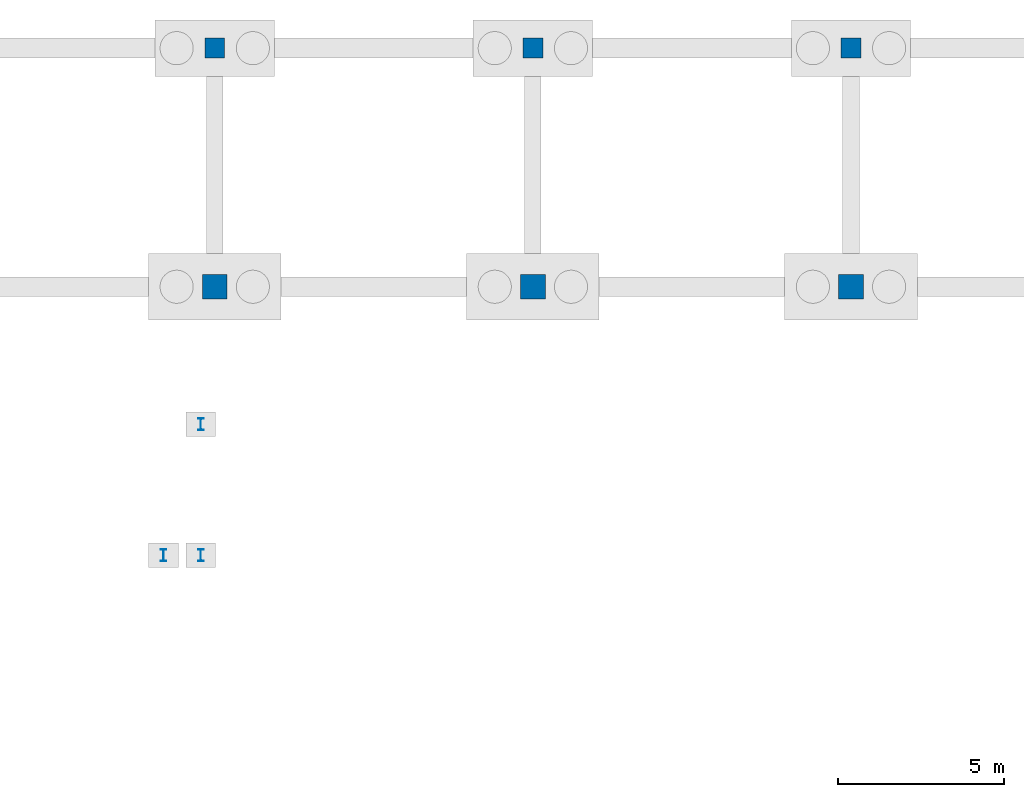
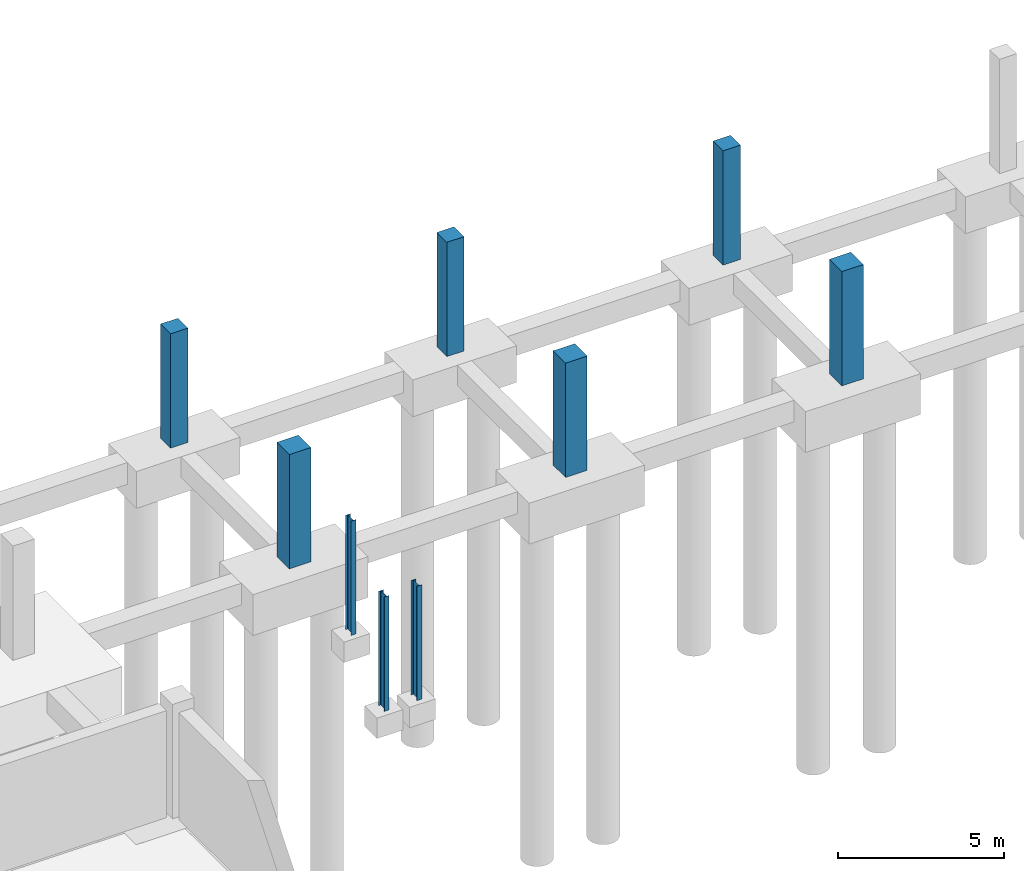
# One storey, part 35 of 54: 9 columns.
"""IFC4 building model written with IfcOpenShell, lengths in metres."""

from ifc_helpers import new_model, si_unit, direction, frame, origin, origin_2d, place, context, subcontext, project, spatial, rectangle, i_section, extrude, material, material_profile, profile_set, type_object, element, save


model = new_model("IFC4")

# Units and contexts
model_context = context("Model", 3, precision=1e-05, world=origin(), true_north=direction((0.0, 1.0)))
body_context = subcontext(model_context, "Body", "Model", "MODEL_VIEW")
ifc_project = project(units=[si_unit("LENGTHUNIT", "METRE"), si_unit("AREAUNIT", "SQUARE_METRE"), si_unit("VOLUMEUNIT", "CUBIC_METRE"), si_unit("PLANEANGLEUNIT", "RADIAN"), si_unit("MASSUNIT", "GRAM", prefix="KILO")], contexts=[model_context])

# Site, building, storey
site_placement = place(None, origin())
site = spatial("IfcSite", under=ifc_project, at=site_placement, CompositionType="ELEMENT")
building_placement = place(site_placement, origin())
building = spatial("IfcBuilding", under=site, at=building_placement, Name="Zevrakil Square Congress Hotel", CompositionType="ELEMENT")
storey_placement = place(building_placement, frame((0.0, 0.0, -8.39990234375)))
storey = spatial("IfcBuildingStorey", under=building, at=storey_placement, Name="B2", CompositionType="ELEMENT", Elevation=-8.39990234375)

# Columns
ifc_material_1 = material(Name="Steel S355", Category="steel")
ifc_material_profile_1 = material_profile(ifc_material_1, i_section(OverallWidth=0.169921875, OverallDepth=0.360107421875, WebThickness=0.008056640625, FlangeThickness=0.0126953125, FilletRadius=0.01806640625, at=origin_2d()), Name="IPE 360")
ifc_profile_set_1 = profile_set([ifc_material_profile_1], Name="Steel S355")
column_type_1 = type_object("IfcColumnType", Name="COL-PILASTER-SHS180", PredefinedType="PILASTER", material=ifc_profile_set_1)
for number, where, z_axis, x_axis, name in (
    (1, (125.64990234375, 104.699951171875, 0.0), (0.0, 0.0, 1.0), (1.0, 0.0, 0.0), "B2 ST11 stair shaft post 1"),
    (2, (126.780029296875, 104.699951171875, 0.0), (0.0, 0.0, 1.0), (1.0, 0.0, 0.0), "B2 ST11 stair shaft post 2"),
    (3, (126.780029296875, 108.64990234375, 0.0), (0.0, 0.0, 1.0), (1.0, 0.0, 0.0), "B2 ST11 stair shaft post 3"),
):
    element("IfcColumn", number, at=place(storey_placement, frame(where, z_axis=z_axis, x_axis=x_axis)), inside=storey, type_object=column_type_1, Name=name, PredefinedType="PILASTER", context=body_context, shape_type="SweptSolid", body=[
        extrude(i_section(OverallWidth=0.169921875, OverallDepth=0.360107421875, WebThickness=0.008056640625, FlangeThickness=0.0126953125, FilletRadius=0.01806640625, at=origin_2d()), origin(), (0.0, 0.0, 1.0), 4.199951171875),
    ])
ifc_material_2 = material(Name="Concrete C40/50", Category="concrete")
ifc_material_profile_2 = material_profile(ifc_material_2, rectangle(XDim=0.60009765625, YDim=0.60009765625, at=origin_2d()), Name="RC 600x600")
ifc_profile_set_2 = profile_set([ifc_material_profile_2], Name="Concrete C40/50")
column_type_2 = type_object("IfcColumnType", Name="COL-RC600", PredefinedType="COLUMN", material=ifc_profile_set_2)
for number, where, z_axis, x_axis, name in (
    (4, (127.199951171875, 120.0, 0.0), (0.0, 0.0, 1.0), (1.0, 0.0, 0.0), "B2 column C-203"),
    (5, (136.800048828125, 120.0, 0.0), (0.0, 0.0, 1.0), (1.0, 0.0, 0.0), "B2 column C-212"),
    (6, (146.39990234375, 120.0, 0.0), (0.0, 0.0, 1.0), (1.0, 0.0, 0.0), "B2 column C-219"),
):
    element("IfcColumn", number, at=place(storey_placement, frame(where, z_axis=z_axis, x_axis=x_axis)), inside=storey, type_object=column_type_2, Name=name, PredefinedType="COLUMN", context=body_context, shape_type="SweptSolid", body=[
        extrude(rectangle(XDim=0.60009765625, YDim=0.60009765625, at=origin_2d()), origin(), (0.0, 0.0, 1.0), 4.199951171875),
    ])
ifc_material_3 = material(Name="Concrete C40/50", Category="concrete")
ifc_material_profile_3 = material_profile(ifc_material_3, rectangle(XDim=0.75, YDim=0.75, at=origin_2d()), Name="RC 750x750")
ifc_profile_set_3 = profile_set([ifc_material_profile_3], Name="Concrete C40/50")
column_type_3 = type_object("IfcColumnType", Name="COL-RC750", PredefinedType="COLUMN", material=ifc_profile_set_3)
for number, where, z_axis, x_axis, name in (
    (7, (127.199951171875, 112.800048828125, 0.0), (0.0, 0.0, 1.0), (1.0, 0.0, 0.0), "B2 column C-202"),
    (8, (136.800048828125, 112.800048828125, 0.0), (0.0, 0.0, 1.0), (1.0, 0.0, 0.0), "B2 column C-211"),
    (9, (146.39990234375, 112.800048828125, 0.0), (0.0, 0.0, 1.0), (1.0, 0.0, 0.0), "B2 column C-218"),
):
    element("IfcColumn", number, at=place(storey_placement, frame(where, z_axis=z_axis, x_axis=x_axis)), inside=storey, type_object=column_type_3, Name=name, PredefinedType="COLUMN", context=body_context, shape_type="SweptSolid", body=[
        extrude(rectangle(XDim=0.75, YDim=0.75, at=origin_2d()), origin(), (0.0, 0.0, 1.0), 4.199951171875),
    ])

save(model, "model.ifc")
